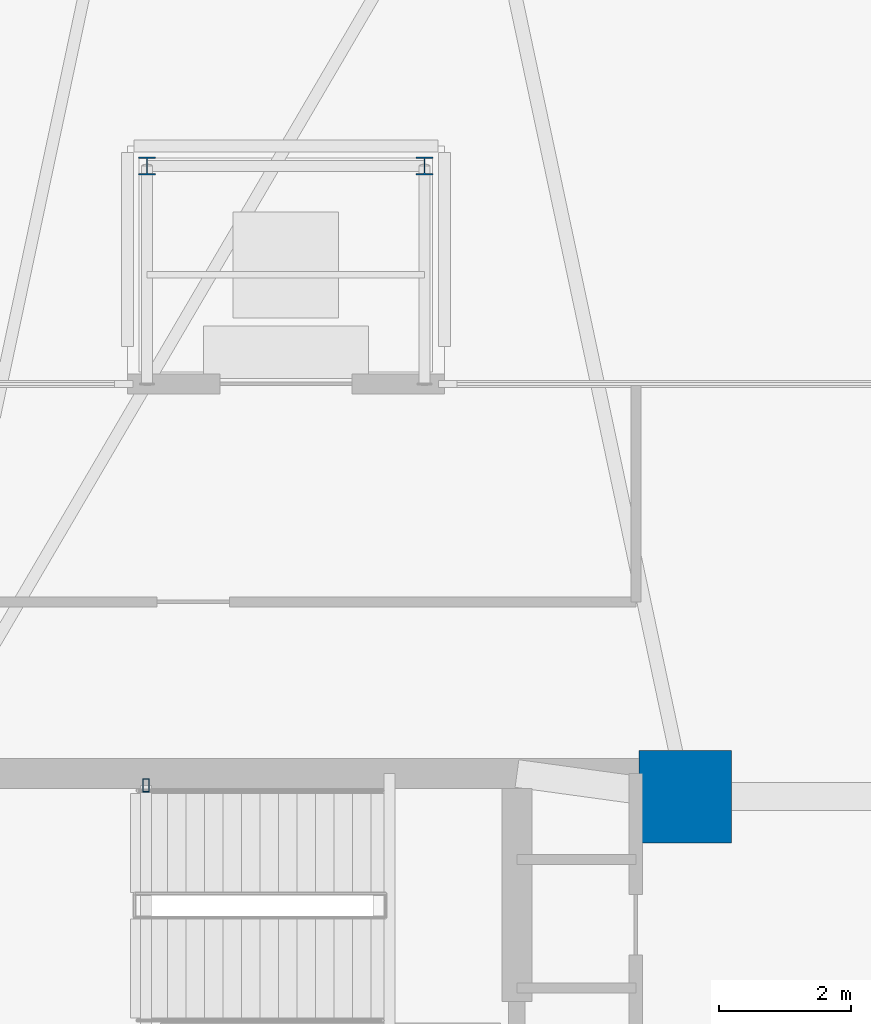
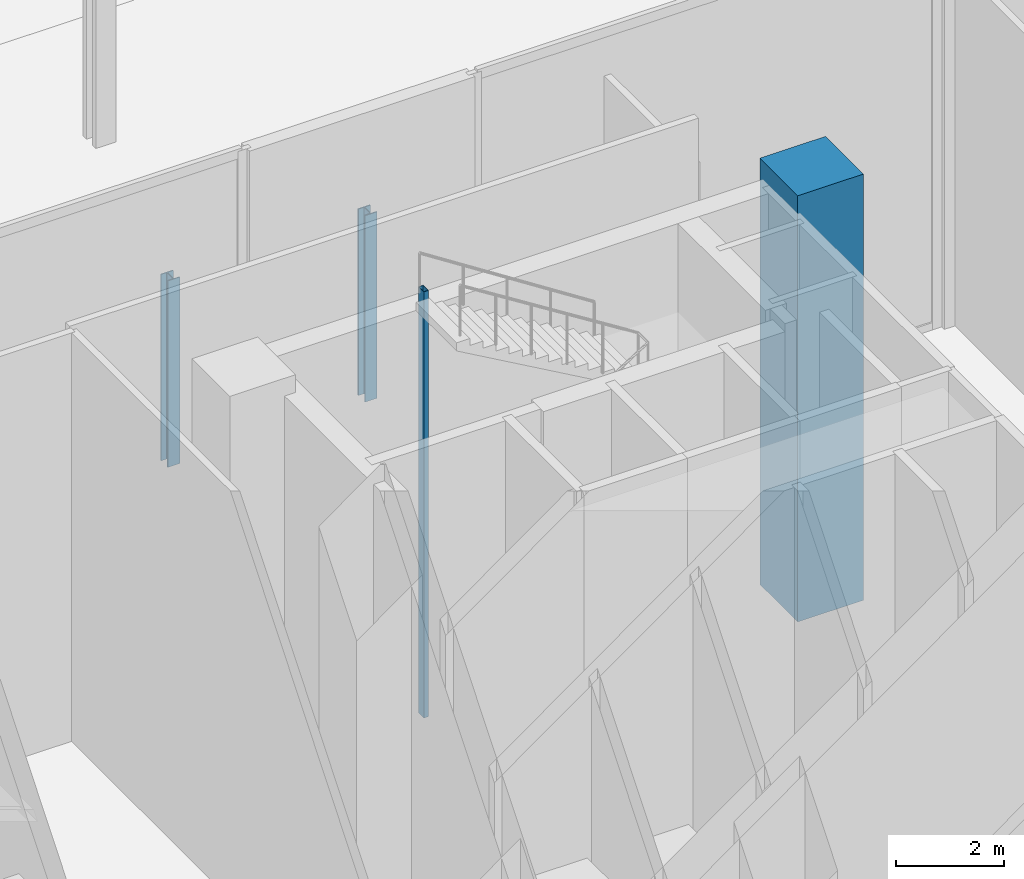
# One storey, part 4 of 24: 4 columns.
"""IFC4 building model written with IfcOpenShell, lengths in metres."""

from ifc_helpers import new_model, si_unit, direction, frame, origin, origin_2d, place, context, subcontext, project, spatial, rectangle, hollow_rectangle, i_section, extrude, material, material_profile, profile_set, type_object, element, save


model = new_model("IFC4")

# Units and contexts
model_context = context("Model", 3, precision=1e-05, world=origin(), true_north=direction((0.0, 1.0)))
body_context = subcontext(model_context, "Body", "Model", "MODEL_VIEW")
ifc_project = project(units=[si_unit("LENGTHUNIT", "METRE"), si_unit("AREAUNIT", "SQUARE_METRE"), si_unit("VOLUMEUNIT", "CUBIC_METRE"), si_unit("PLANEANGLEUNIT", "RADIAN"), si_unit("MASSUNIT", "GRAM", prefix="KILO")], contexts=[model_context])

# Site, building, storey
site_placement = place(None, origin())
site = spatial("IfcSite", under=ifc_project, at=site_placement, CompositionType="ELEMENT")
building_placement = place(site_placement, origin())
building = spatial("IfcBuilding", under=site, at=building_placement, Name="Menara Jurai Vektor", CompositionType="ELEMENT")
storey_placement = place(building_placement, origin())
storey = spatial("IfcBuildingStorey", under=building, at=storey_placement, Name="L00", CompositionType="ELEMENT", Elevation=0.0)

# Columns
ifc_material_1 = material(Name="Steel S355", Category="steel")
ifc_material_profile_1 = material_profile(ifc_material_1, i_section(OverallWidth=0.259033203125, OverallDepth=0.26708984375, WebThickness=0.012939453125, FlangeThickness=0.02099609375, FilletRadius=0.012939453125, at=origin_2d()), Name="UKC 254x254x107")
ifc_profile_set_1 = profile_set([ifc_material_profile_1], Name="Steel S355")
column_type_1 = type_object("IfcColumnType", Name="STR-COL-CANOPY", PredefinedType="COLUMN", material=ifc_profile_set_1)
for number, where, z_axis, x_axis, name in (
    (1, (-11.10009765625, 14.800048828125, 0.0), (0.0, 0.0, 1.0), (1.0, 0.0, 0.0), "Entrance Canopy Column E4-1"),
    (2, (-6.89990234375, 14.800048828125, 0.0), (0.0, 0.0, 1.0), (1.0, 0.0, 0.0), "Entrance Canopy Column E4-2"),
):
    element("IfcColumn", number, at=place(storey_placement, frame(where, z_axis=z_axis, x_axis=x_axis)), inside=storey, type_object=column_type_1, Name=name, PredefinedType="COLUMN", context=body_context, shape_type="SweptSolid", body=[
        extrude(i_section(OverallWidth=0.259033203125, OverallDepth=0.26708984375, WebThickness=0.012939453125, FlangeThickness=0.02099609375, FilletRadius=0.012939453125, at=origin_2d()), origin(), (0.0, 0.0, 1.0), 4.199951171875),
    ])
ifc_material_2 = material(Name="Concrete C60/75", Category="concrete")
ifc_material_profile_2 = material_profile(ifc_material_2, rectangle(XDim=1.39990234375, YDim=1.39990234375, at=origin_2d()), Name="RC 1400x1400")
ifc_profile_set_2 = profile_set([ifc_material_profile_2], Name="Concrete C60/75")
column_type_2 = type_object("IfcColumnType", Name="STR-COL-RC1400", PredefinedType="COLUMN", material=ifc_profile_set_2)
column_1_placement = place(storey_placement, frame((-2.949951171875, 5.25, 0.0), z_axis=(0.0, 0.0, 1.0), x_axis=(1.0, 0.0, 0.0)))
element("IfcColumn", 3, at=column_1_placement, inside=storey, type_object=column_type_2, Name="Core Spine Column CW-NE L00", PredefinedType="COLUMN", context=body_context, shape_type="SweptSolid", body=[
    extrude(rectangle(XDim=1.39990234375, YDim=1.39990234375, at=origin_2d()), origin(), (0.0, 0.0, 1.0), 9.60009765625),
])
ifc_material_profile_3 = material_profile(ifc_material_1, hollow_rectangle(XDim=0.10009765625, YDim=0.199951171875, WallThickness=0.008056640625, at=origin_2d()), Name="RHS 200x100x8")
ifc_profile_set_3 = profile_set([ifc_material_profile_3], Name="Steel S355")
column_type_3 = type_object("IfcColumnType", Name="STR-COL-STAIR", PredefinedType="COLUMN", material=ifc_profile_set_3)
column_2_placement = place(storey_placement, frame((-11.1201171875, 5.419921875, 0.0), z_axis=(0.0, 0.0, 1.0), x_axis=(1.0, 0.0, 0.0)))
element("IfcColumn", 4, at=column_2_placement, inside=storey, type_object=column_type_3, Name="Stair Well Header Column ST1-P2 L00", PredefinedType="COLUMN", context=body_context, shape_type="SweptSolid", body=[
    extrude(hollow_rectangle(XDim=0.10009765625, YDim=0.199951171875, WallThickness=0.008056640625, at=origin_2d()), origin(), (0.0, 0.0, 1.0), 9.60009765625),
])

save(model, "model.ifc")
